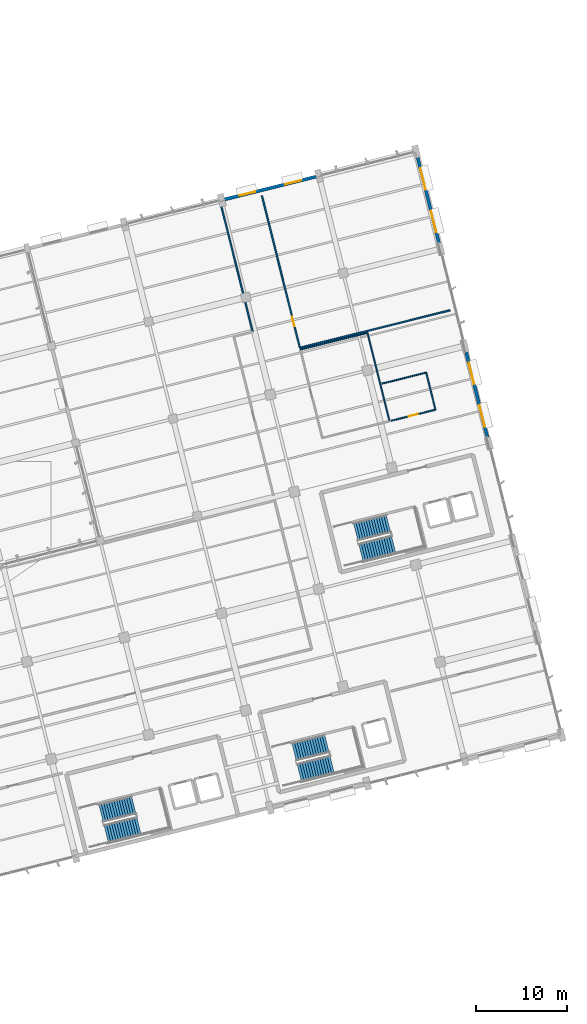
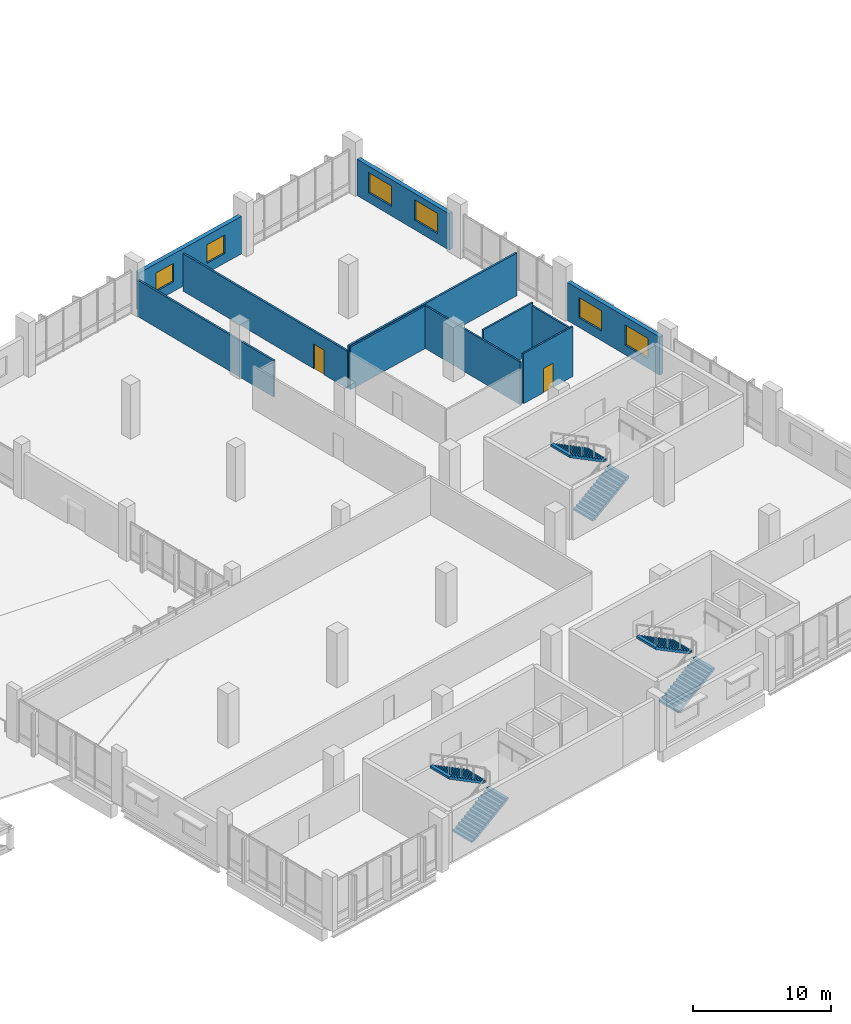
# One storey, part 126 of 137: 11 walls, 6 stair flights, 6 windows, 2 doors, 8 openings, 3 elements without a shape of their own.
"""IFC4 building model written with IfcOpenShell, lengths in metres."""

import ifcopenshell
import ifcopenshell.guid

model = None  # the IFC model being written
_history = None  # IfcOwnerHistory: only IFC2X3 demands one
_inside = {}  # id of a spatial element -> (the spatial element, [elements in it])
_under = {}  # id of a project, library or spatial element -> (it, [spatial elements below it])
_declared = {}  # id of a project -> (the project, [libraries it declares])
_typed = {}  # id of a type object -> (the type object, [elements of that type])
_made_of = {}  # id of a material, layer set ... -> (it, [elements and type objects made of it])


def new_model(schema):
    """Start an empty IFC model of exactly this schema.

    Asked for "IFC4X3", IfcOpenShell would pick the latest addendum, in which some entities
    have other attributes; the version numbers below select the first issue.
    IFC2X3 requires an IfcOwnerHistory on every rooted entity: one is made here for all.
    """
    global model, _history
    if schema == "IFC4X3":
        model = ifcopenshell.file(schema_version=(4, 3, 0, 0))
    else:
        model = ifcopenshell.file(schema=schema)
    _inside.clear()
    _under.clear()
    _declared.clear()
    _typed.clear()
    _made_of.clear()
    _history = None
    if model.schema == "IFC2X3":
        org = make("IfcOrganization", Name="unknown")
        user = make(
            "IfcPersonAndOrganization",
            ThePerson=make("IfcPerson", FamilyName="unknown"),
            TheOrganization=org,
        )
        app = make(
            "IfcApplication",
            ApplicationDeveloper=org,
            Version="unknown",
            ApplicationFullName="unknown",
            ApplicationIdentifier="unknown",
        )
        _history = make(
            "IfcOwnerHistory",
            OwningUser=user,
            OwningApplication=app,
            ChangeAction="ADDED",
            CreationDate=0,
        )
    return model


def make(cls, **values):
    """One entity of the class cls with the attributes given. An attribute that is None is left unset."""
    return model.create_entity(
        cls, **{name: value for name, value in values.items() if value is not None}
    )


def rooted(cls, **values):
    """An entity with a GlobalId (a new one), such as an element, a storey or a relation."""
    return make(cls, GlobalId=ifcopenshell.guid.new(), OwnerHistory=_history, **values)


def si_unit(unit_type, name, prefix=None):
    """IfcSIUnit, for example si_unit("LENGTHUNIT", "METRE", prefix="MILLI")."""
    return make("IfcSIUnit", UnitType=unit_type, Prefix=prefix, Name=name)


def assignment(units):
    """IfcUnitAssignment: the units of a project."""
    return None if units is None else make("IfcUnitAssignment", Units=units)


def point(xyz):
    """IfcCartesianPoint."""
    return None if xyz is None else make("IfcCartesianPoint", Coordinates=xyz)


def direction(xyz):
    """IfcDirection."""
    return None if xyz is None else make("IfcDirection", DirectionRatios=xyz)


def frame(location, z_axis=None, x_axis=None):
    """IfcAxis2Placement3D, a coordinate frame: its origin and axes. An axis left out is left unset."""
    return make(
        "IfcAxis2Placement3D",
        Location=point(location),
        Axis=direction(z_axis),
        RefDirection=direction(x_axis),
    )


def frame_2d(location, x_axis=None):
    """IfcAxis2Placement2D, a coordinate frame in the plane: its origin and x axis."""
    return make(
        "IfcAxis2Placement2D", Location=point(location), RefDirection=direction(x_axis)
    )


def origin():
    """The frame at (0, 0, 0) with its axes left unset."""
    return frame((0.0, 0.0, 0.0))


def place(relative_to, where):
    """IfcLocalPlacement: puts the frame where relative to a parent placement (None: the world)."""
    return make(
        "IfcLocalPlacement", PlacementRelTo=relative_to, RelativePlacement=where
    )


def context(
    kind, dimensions, precision=None, world=None, true_north=None, identifier=None
):
    """IfcGeometricRepresentationContext, for example the 3D "Model" context."""
    return make(
        "IfcGeometricRepresentationContext",
        ContextIdentifier=identifier,
        ContextType=kind,
        CoordinateSpaceDimension=dimensions,
        Precision=precision,
        WorldCoordinateSystem=world,
        TrueNorth=true_north,
    )


def subcontext(parent, identifier, kind, view, scale=None):
    """IfcGeometricRepresentationSubContext, for example "Body" below "Model"."""
    return make(
        "IfcGeometricRepresentationSubContext",
        ContextIdentifier=identifier,
        ContextType=kind,
        ParentContext=parent,
        TargetScale=scale,
        TargetView=view,
    )


def project(units=None, contexts=None):
    """IfcProject with its units and contexts."""
    return rooted(
        "IfcProject",
        Name="project",
        RepresentationContexts=contexts,
        UnitsInContext=assignment(units),
    )


def spatial(cls, under=None, at=None, **own):
    """A site, building, storey or space (cls), placed at a placement, below another one or the project."""
    s = rooted(cls, ObjectPlacement=at, **own)
    if under is not None:
        _under.setdefault(under.id(), (under, []))[1].append(s)
    return s


def polyline(points):
    """IfcPolyline through the points."""
    return make("IfcPolyline", Points=[point(p) for p in points])


def profile(cls, at=None, kind="AREA", **sizes):
    """A parametric profile (cls). Its sizes go by their IFC names, for example OverallWidth=200.0."""
    return make(cls, ProfileType=kind, Position=at, **sizes)


def rectangle(**sizes):
    """IfcRectangleProfileDef."""
    return profile("IfcRectangleProfileDef", **sizes)


def outline(outer, holes=None, kind="AREA"):
    """IfcArbitraryClosedProfileDef: a profile drawn as a closed curve; with holes, ...WithVoids."""
    if holes is None:
        return make("IfcArbitraryClosedProfileDef", ProfileType=kind, OuterCurve=outer)
    return make(
        "IfcArbitraryProfileDefWithVoids",
        ProfileType=kind,
        OuterCurve=outer,
        InnerCurves=holes,
    )


def extrude(swept, where, along, depth):
    """IfcExtrudedAreaSolid: the profile swept, set in the frame where, extruded along a direction by depth."""
    return make(
        "IfcExtrudedAreaSolid",
        SweptArea=swept,
        Position=where,
        ExtrudedDirection=direction(along),
        Depth=depth,
    )


def shape(context_of_items, identifier, shape_type, items):
    """IfcShapeRepresentation: the items that make up one representation, for example the "Body"."""
    return make(
        "IfcShapeRepresentation",
        ContextOfItems=context_of_items,
        RepresentationIdentifier=identifier,
        RepresentationType=shape_type,
        Items=items,
    )


def material(Name=None, Category=None):
    """IfcMaterial."""
    return make("IfcMaterial", Name=Name, Category=Category)


def layer(
    of_material, thickness, ventilated=None, Name=None, Category=None, Priority=None
):
    """IfcMaterialLayer: one layer of a wall or slab, of a material (None: an air gap)."""
    return make(
        "IfcMaterialLayer",
        Material=of_material,
        LayerThickness=thickness,
        IsVentilated=ventilated,
        Name=Name,
        Category=Category,
        Priority=Priority,
    )


def layer_set(layers, Name=None):
    """IfcMaterialLayerSet."""
    return make("IfcMaterialLayerSet", MaterialLayers=layers, LayerSetName=Name)


def made_of(thing, what):
    """Note that an element or type object is made of a material, layer set ...; save() writes the relation."""
    if what is not None:
        _made_of.setdefault(what.id(), (what, []))[1].append(thing)
    return thing


def type_object(cls, material=None, **own):
    """A type object (cls), such as IfcWallType, which elements share."""
    return made_of(rooted(cls, **own), material)


def element(
    cls,
    number,
    at=None,
    inside=None,
    cuts=None,
    type_object=None,
    material=None,
    context=None,
    identifier="Body",
    shape_type=None,
    held_by="IfcProductDefinitionShape",
    body=None,
    shapes=None,
    **own,
):
    """One element of the class cls, such as IfcWall. Its Tag is "e" and its number.

    at: its placement. inside: the storey or other place that contains it. cuts: it is an
    opening in that element (IfcRelVoidsElement). A single representation is given by context,
    identifier, shape_type and body (its items); several are given by shapes. held_by: the class
    of the entity that holds the representations. save() writes the other relations.
    """
    e = rooted(cls, Tag="e%d" % number, ObjectPlacement=at, **own)
    if body is not None:
        shapes = [shape(context, identifier, shape_type, body)]
    if shapes is not None:
        e.Representation = make(held_by, Representations=shapes)
    if inside is not None:
        _inside.setdefault(inside.id(), (inside, []))[1].append(e)
    if cuts is not None:
        rooted(
            "IfcRelVoidsElement", RelatingBuildingElement=cuts, RelatedOpeningElement=e
        )
    if type_object is not None:
        _typed.setdefault(type_object.id(), (type_object, []))[1].append(e)
    return made_of(e, material)


def fill(opening, filler):
    """IfcRelFillsElement: the door or window that sits in an opening."""
    return rooted(
        "IfcRelFillsElement",
        RelatingOpeningElement=opening,
        RelatedBuildingElement=filler,
    )


def aggregate(whole, parts):
    """IfcRelAggregates: a whole, such as a stair, and the parts it consists of."""
    return rooted("IfcRelAggregates", RelatingObject=whole, RelatedObjects=parts)


def save(model, path):
    """Write the relations noted so far, then the file.

    IfcRelAggregates (storeys below a building ...), IfcRelContainedInSpatialStructure (elements
    in a storey), IfcRelDefinesByType, IfcRelAssociatesMaterial and IfcRelDeclares: one each for
    every whole, place, type object, material and project.
    """
    for whole, parts in _under.values():
        aggregate(whole, parts)
    for where, things in _inside.values():
        rooted(
            "IfcRelContainedInSpatialStructure",
            RelatedElements=things,
            RelatingStructure=where,
        )
    for kind, things in _typed.values():
        rooted("IfcRelDefinesByType", RelatedObjects=things, RelatingType=kind)
    for what, things in _made_of.values():
        rooted("IfcRelAssociatesMaterial", RelatedObjects=things, RelatingMaterial=what)
    for by, libraries in _declared.values():
        rooted("IfcRelDeclares", RelatingContext=by, RelatedDefinitions=libraries)
    model.write(path)


model = new_model("IFC4")

# Units and contexts
model_context = context("Model", 3, precision=1e-05, world=origin(), true_north=direction((0.0, 1.0)))
body_context = subcontext(model_context, "Body", "Model", "MODEL_VIEW")
ifc_project = project(units=[si_unit("LENGTHUNIT", "METRE"), si_unit("AREAUNIT", "SQUARE_METRE"), si_unit("VOLUMEUNIT", "CUBIC_METRE"), si_unit("PLANEANGLEUNIT", "RADIAN"), si_unit("MASSUNIT", "GRAM", prefix="KILO")], contexts=[model_context])

# Site, building, storey
site_placement = place(None, origin())
site = spatial("IfcSite", under=ifc_project, at=site_placement, CompositionType="ELEMENT")
building_placement = place(site_placement, origin())
building = spatial("IfcBuilding", under=site, at=building_placement, Name="Khorjan Park Terminus", CompositionType="ELEMENT")
storey_placement = place(building_placement, frame((0.0, 0.0, 11.4)))
storey = spatial("IfcBuildingStorey", under=building, at=storey_placement, Name="L02", CompositionType="ELEMENT", Elevation=11.4)

# Wall, openings, windows
ifc_material_1 = material(Name="Pigmented Precast GRC & Concrete C40/50", Category="concrete")
ifc_layer_1 = layer(ifc_material_1, 0.35)
ifc_layer_set_1 = layer_set([ifc_layer_1], Name="Pigmented Precast GRC & Concrete C40/50")
wall_type_1 = type_object("IfcWallType", Name="EW-35", PredefinedType="STANDARD", material=ifc_layer_set_1)
wall_1_placement = place(storey_placement, frame((221.8951, 50.6322, 0.0), z_axis=(0.0, 0.0, 1.0), x_axis=(-0.241910213289, 0.970298638929, 0.0)))
wall_1 = element("IfcWall", 1, at=wall_1_placement, inside=storey, type_object=wall_type_1, Name="External pigmented-GRC insulated wall EW-35 (EW-V5-E-L02-B04)", PredefinedType="STANDARD", context=body_context, shape_type="SweptSolid", body=[
    extrude(rectangle(XDim=9.6697, YDim=0.35, at=frame_2d((4.8349, 0.0))), origin(), (0.0, 0.0, 1.0), 3.375),
])
opening_1_placement = place(wall_1_placement, frame((1.2174, 0.0, 0.85)))
opening_1 = element("IfcOpeningElement", 2, at=opening_1_placement, cuts=wall_1, Name="Opening WN-24", PredefinedType="OPENING", context=body_context, shape_type="SweptSolid", body=[
    extrude(rectangle(XDim=2.4, YDim=1.8, at=frame_2d((1.2, 0.9))), frame((0.0, 0.185, 0.0), z_axis=(0.0, -1.0, 0.0), x_axis=(1.0, 0.0, 0.0)), (0.0, 0.0, 1.0), 0.37),
])
opening_2_placement = place(wall_1_placement, frame((6.0523, 0.0, 0.85)))
opening_2 = element("IfcOpeningElement", 3, at=opening_2_placement, cuts=wall_1, Name="Opening WN-24", PredefinedType="OPENING", context=body_context, shape_type="SweptSolid", body=[
    extrude(rectangle(XDim=2.4, YDim=1.8, at=frame_2d((1.2, 0.9))), frame((0.0, 0.185, 0.0), z_axis=(0.0, -1.0, 0.0), x_axis=(1.0, 0.0, 0.0)), (0.0, 0.0, 1.0), 0.37),
])
ifc_material_2 = material(Name="Anodized Bronze Aluminium & Low-E Glass", Category="aluminium")
window_type_1 = type_object("IfcWindowType", Name="WN-24", PartitioningType="SINGLE_PANEL", PredefinedType="WINDOW", material=ifc_material_2)
window_1_placement = place(opening_1_placement, origin())
window_1 = element("IfcWindow", 4, at=window_1_placement, inside=storey, type_object=window_type_1, Name="Solar-control exterior window WN-24 (WN-EW-V5-E-L02-B04-1)", OverallHeight=1.8, OverallWidth=2.4, PartitioningType="SINGLE_PANEL", PredefinedType="WINDOW", context=body_context, shape_type="SweptSolid", body=[
    extrude(rectangle(XDim=2.4, YDim=1.8, at=frame_2d((1.2, 0.9))), frame((0.0, 0.03, 0.0), z_axis=(0.0, -1.0, 0.0), x_axis=(1.0, 0.0, 0.0)), (0.0, 0.0, 1.0), 0.06),
])
fill(opening_1, window_1)
window_2_placement = place(opening_2_placement, origin())
window_2 = element("IfcWindow", 5, at=window_2_placement, inside=storey, type_object=window_type_1, Name="Solar-control exterior window WN-24 (WN-EW-V5-E-L02-B04-2)", OverallHeight=1.8, OverallWidth=2.4, PartitioningType="SINGLE_PANEL", PredefinedType="WINDOW", context=body_context, shape_type="SweptSolid", body=[
    extrude(rectangle(XDim=2.4, YDim=1.8, at=frame_2d((1.2, 0.9))), frame((0.0, 0.03, 0.0), z_axis=(0.0, -1.0, 0.0), x_axis=(1.0, 0.0, 0.0)), (0.0, 0.0, 1.0), 0.06),
])
fill(opening_2, window_2)

wall_2_placement = place(storey_placement, frame((216.573, 71.9782, 0.0), z_axis=(0.0, 0.0, 1.0), x_axis=(-0.241919949636, 0.970296211457, 0.0)))
wall_2 = element("IfcWall", 6, at=wall_2_placement, inside=storey, type_object=wall_type_1, Name="External pigmented-GRC insulated wall EW-35 (EW-V5-E-L02-B06)", PredefinedType="STANDARD", context=body_context, shape_type="SweptSolid", body=[
    extrude(rectangle(XDim=9.6697, YDim=0.35, at=frame_2d((4.8349, 0.0))), origin(), (0.0, 0.0, 1.0), 3.225),
])
opening_3_placement = place(wall_2_placement, frame((1.2174, 0.0, 0.85)))
opening_3 = element("IfcOpeningElement", 7, at=opening_3_placement, cuts=wall_2, Name="Opening WN-24", PredefinedType="OPENING", context=body_context, shape_type="SweptSolid", body=[
    extrude(rectangle(XDim=2.4, YDim=1.8, at=frame_2d((1.2, 0.9))), frame((0.0, 0.185, 0.0), z_axis=(0.0, -1.0, 0.0), x_axis=(1.0, 0.0, 0.0)), (0.0, 0.0, 1.0), 0.37),
])
opening_4_placement = place(wall_2_placement, frame((6.0523, 0.0, 0.85)))
opening_4 = element("IfcOpeningElement", 8, at=opening_4_placement, cuts=wall_2, Name="Opening WN-24", PredefinedType="OPENING", context=body_context, shape_type="SweptSolid", body=[
    extrude(rectangle(XDim=2.4, YDim=1.8, at=frame_2d((1.2, 0.9))), frame((0.0, 0.185, 0.0), z_axis=(0.0, -1.0, 0.0), x_axis=(1.0, 0.0, 0.0)), (0.0, 0.0, 1.0), 0.37),
])
window_3_placement = place(opening_3_placement, origin())
window_3 = element("IfcWindow", 9, at=window_3_placement, inside=storey, type_object=window_type_1, Name="Solar-control exterior window WN-24 (WN-EW-V5-E-L02-B06-1)", OverallHeight=1.8, OverallWidth=2.4, PartitioningType="SINGLE_PANEL", PredefinedType="WINDOW", context=body_context, shape_type="SweptSolid", body=[
    extrude(rectangle(XDim=2.4, YDim=1.8, at=frame_2d((1.2, 0.9))), frame((0.0, 0.03, 0.0), z_axis=(0.0, -1.0, 0.0), x_axis=(1.0, 0.0, 0.0)), (0.0, 0.0, 1.0), 0.06),
])
fill(opening_3, window_3)
window_4_placement = place(opening_4_placement, origin())
window_4 = element("IfcWindow", 10, at=window_4_placement, inside=storey, type_object=window_type_1, Name="Solar-control exterior window WN-24 (WN-EW-V5-E-L02-B06-2)", OverallHeight=1.8, OverallWidth=2.4, PartitioningType="SINGLE_PANEL", PredefinedType="WINDOW", context=body_context, shape_type="SweptSolid", body=[
    extrude(rectangle(XDim=2.4, YDim=1.8, at=frame_2d((1.2, 0.9))), frame((0.0, 0.03, 0.0), z_axis=(0.0, -1.0, 0.0), x_axis=(1.0, 0.0, 0.0)), (0.0, 0.0, 1.0), 0.06),
])
fill(opening_4, window_4)

wall_3_placement = place(storey_placement, frame((203.0933, 79.2689, 0.0), z_axis=(0.0, 0.0, 1.0), x_axis=(-0.970297165187, -0.241916124371, 0.0)))
wall_3 = element("IfcWall", 11, at=wall_3_placement, inside=storey, type_object=wall_type_1, Name="External pigmented-GRC insulated wall EW-35 (EW-V5-N1-L02-B02)", PredefinedType="STANDARD", context=body_context, shape_type="SweptSolid", body=[
    extrude(rectangle(XDim=10.3697, YDim=0.35, at=frame_2d((5.1848, 0.0))), origin(), (0.0, 0.0, 1.0), 3.325),
])
opening_5_placement = place(wall_3_placement, frame((1.6924, 0.0, 0.85)))
opening_5 = element("IfcOpeningElement", 12, at=opening_5_placement, cuts=wall_3, Name="Opening WN-18", PredefinedType="OPENING", context=body_context, shape_type="SweptSolid", body=[
    extrude(rectangle(XDim=1.8, YDim=1.65, at=frame_2d((0.9, 0.825))), frame((0.0, 0.185, 0.0), z_axis=(0.0, -1.0, 0.0), x_axis=(1.0, 0.0, 0.0)), (0.0, 0.0, 1.0), 0.37),
])
opening_6_placement = place(wall_3_placement, frame((6.8773, 0.0, 0.85)))
opening_6 = element("IfcOpeningElement", 13, at=opening_6_placement, cuts=wall_3, Name="Opening WN-18", PredefinedType="OPENING", context=body_context, shape_type="SweptSolid", body=[
    extrude(rectangle(XDim=1.8, YDim=1.65, at=frame_2d((0.9, 0.825))), frame((0.0, 0.185, 0.0), z_axis=(0.0, -1.0, 0.0), x_axis=(1.0, 0.0, 0.0)), (0.0, 0.0, 1.0), 0.37),
])
window_type_2 = type_object("IfcWindowType", Name="WN-18", PartitioningType="SINGLE_PANEL", PredefinedType="WINDOW", material=ifc_material_2)
window_5_placement = place(opening_5_placement, origin())
window_5 = element("IfcWindow", 14, at=window_5_placement, inside=storey, type_object=window_type_2, Name="Solar-control exterior window WN-18 (WN-EW-V5-N1-L02-B02-1)", OverallHeight=1.65, OverallWidth=1.8, PartitioningType="SINGLE_PANEL", PredefinedType="WINDOW", context=body_context, shape_type="SweptSolid", body=[
    extrude(rectangle(XDim=1.8, YDim=1.65, at=frame_2d((0.9, 0.825))), frame((0.0, 0.03, 0.0), z_axis=(0.0, -1.0, 0.0), x_axis=(1.0, 0.0, 0.0)), (0.0, 0.0, 1.0), 0.06),
])
fill(opening_5, window_5)
window_6_placement = place(opening_6_placement, origin())
window_6 = element("IfcWindow", 15, at=window_6_placement, inside=storey, type_object=window_type_2, Name="Solar-control exterior window WN-18 (WN-EW-V5-N1-L02-B02-2)", OverallHeight=1.65, OverallWidth=1.8, PartitioningType="SINGLE_PANEL", PredefinedType="WINDOW", context=body_context, shape_type="SweptSolid", body=[
    extrude(rectangle(XDim=1.8, YDim=1.65, at=frame_2d((0.9, 0.825))), frame((0.0, 0.03, 0.0), z_axis=(0.0, -1.0, 0.0), x_axis=(1.0, 0.0, 0.0)), (0.0, 0.0, 1.0), 0.06),
])
fill(opening_6, window_6)

# Walls
ifc_material_3 = material(Name="Moisture-Resistant Sanitary Partition")
ifc_layer_2 = layer(ifc_material_3, 0.14)
ifc_layer_set_2 = layer_set([ifc_layer_2], Name="Moisture-Resistant Sanitary Partition")
wall_type_2 = type_object("IfcWallType", Name="PT-14", PredefinedType="PARTITIONING", material=ifc_layer_set_2)
wall_4_placement = place(storey_placement, frame((208.7243, 62.1218, 0.0), z_axis=(0.0, 0.0, 1.0), x_axis=(0.241921455101, -0.970295836104, 0.0)))
element("IfcWall", 16, at=wall_4_placement, inside=storey, type_object=wall_type_2, Name="Interior acoustic partition PT-14 (L02-SWC2)", PredefinedType="PARTITIONING", context=body_context, shape_type="SweptSolid", body=[
    extrude(rectangle(XDim=9.9999, YDim=0.14, at=frame_2d((5.0, 0.0))), origin(), (0.0, 0.0, 1.0), 3.785),
])
wall_5_placement = place(storey_placement, frame((201.3501, 60.2832, 0.0), z_axis=(0.0, 0.0, 1.0), x_axis=(0.970295558209, 0.241922569678, 0.0)))
element("IfcWall", 17, at=wall_5_placement, inside=storey, type_object=wall_type_2, Name="Interior acoustic partition PT-14 (L02-SWC2)", PredefinedType="PARTITIONING", context=body_context, shape_type="SweptSolid", body=[
    extrude(rectangle(XDim=7.6, YDim=0.14, at=frame_2d((3.8, 0.0))), origin(), (0.0, 0.0, 1.0), 3.785),
])
wall_6_placement = place(storey_placement, frame((215.173, 57.7521, 0.0), z_axis=(0.0, 0.0, 1.0), x_axis=(0.24193053095, -0.9702935732, 0.0)))
element("IfcWall", 18, at=wall_6_placement, inside=storey, type_object=wall_type_2, Name="Interior acoustic partition PT-14 (L02-SAWC2)", PredefinedType="PARTITIONING", context=body_context, shape_type="SweptSolid", body=[
    extrude(rectangle(XDim=4.2, YDim=0.14, at=frame_2d((2.1, 0.0))), origin(), (0.0, 0.0, 1.0), 4.155),
])

# Wall, opening, door
wall_7_placement = place(storey_placement, frame((216.1891, 53.6769, 0.0), z_axis=(0.0, 0.0, 1.0), x_axis=(-0.970291726552, -0.241937937052, 0.0)))
wall_7 = element("IfcWall", 19, at=wall_7_placement, inside=storey, type_object=wall_type_2, Name="Interior acoustic partition PT-14 (L02-SAWC2)", PredefinedType="PARTITIONING", context=body_context, shape_type="SweptSolid", body=[
    extrude(rectangle(XDim=5.0, YDim=0.14, at=frame_2d((2.5, 0.0))), origin(), (0.0, 0.0, 1.0), 4.43),
])
opening_7_placement = place(wall_7_placement, frame((2.0, 0.0, 0.0)))
opening_7 = element("IfcOpeningElement", 20, at=opening_7_placement, cuts=wall_7, Name="Opening ID-10", PredefinedType="OPENING", context=body_context, shape_type="SweptSolid", body=[
    extrude(rectangle(XDim=1.0, YDim=2.15, at=frame_2d((0.5, 1.075))), frame((0.0, 0.08, 0.0), z_axis=(0.0, -1.0, 0.0), x_axis=(1.0, 0.0, 0.0)), (0.0, 0.0, 1.0), 0.16),
])
ifc_material_4 = material(Name="Acoustic Fire-Rated Single Door")
door_type_1 = type_object("IfcDoorType", Name="ID-10", OperationType="NOTDEFINED", PredefinedType="DOOR", material=ifc_material_4)
door_1_placement = place(opening_7_placement, origin())
door_1 = element("IfcDoor", 21, at=door_1_placement, inside=storey, type_object=door_type_1, Name="Interior door ID-10 (L02-SAWC2)", OperationType="SINGLE_SWING_RIGHT", OverallHeight=2.15, OverallWidth=1.0, PredefinedType="DOOR", context=body_context, shape_type="SweptSolid", body=[
    extrude(rectangle(XDim=1.0, YDim=2.15, at=frame_2d((0.5, 1.075))), frame((0.0, 0.025, 0.0), z_axis=(0.0, -1.0, 0.0), x_axis=(1.0, 0.0, 0.0)), (0.0, 0.0, 1.0), 0.05),
])
fill(opening_7, door_1)

# Walls
wall_8_placement = place(storey_placement, frame((210.3215, 56.5425, 0.0), z_axis=(0.0, 0.0, 1.0), x_axis=(0.970296421359, 0.241919107756, 0.0)))
element("IfcWall", 22, at=wall_8_placement, inside=storey, type_object=wall_type_2, Name="Interior acoustic partition PT-14 (L02-SAWC2)", PredefinedType="PARTITIONING", context=body_context, shape_type="SweptSolid", body=[
    extrude(rectangle(XDim=5.0, YDim=0.14, at=frame_2d((2.5, 0.0))), origin(), (0.0, 0.0, 1.0), 4.43),
])
ifc_material_5 = material(Name="Insulated Metal-Stud Acoustic Partition")
ifc_layer_3 = layer(ifc_material_5, 0.16)
ifc_layer_set_3 = layer_set([ifc_layer_3], Name="Insulated Metal-Stud Acoustic Partition")
wall_type_3 = type_object("IfcWallType", Name="PT-16", PredefinedType="PARTITIONING", material=ifc_layer_set_3)
wall_9_placement = place(storey_placement, frame((192.6773, 76.0535, 0.0), z_axis=(0.0, 0.0, 1.0), x_axis=(0.241921764972, -0.970295758845, 0.0)))
element("IfcWall", 23, at=wall_9_placement, inside=storey, type_object=wall_type_3, Name="Interior acoustic partition PT-16 (L02-ENG)", PredefinedType="PARTITIONING", context=body_context, shape_type="SweptSolid", body=[
    extrude(rectangle(XDim=14.26, YDim=0.16, at=frame_2d((7.13, 0.0))), origin(), (0.0, 0.0, 1.0), 3.225),
])
wall_10_placement = place(storey_placement, frame((217.7967, 64.5899, 0.0), z_axis=(0.0, 0.0, 1.0), x_axis=(-0.970296629409, -0.241918273301, 0.0)))
element("IfcWall", 24, at=wall_10_placement, inside=storey, type_object=wall_type_3, Name="Interior acoustic partition PT-16 (L02-STR2)", PredefinedType="PARTITIONING", context=body_context, shape_type="SweptSolid", body=[
    extrude(rectangle(XDim=17.0, YDim=0.16, at=frame_2d((8.5, 0.0))), origin(), (0.0, 0.0, 1.0), 3.785),
])

# Wall, opening, door
wall_11_placement = place(storey_placement, frame((201.3017, 60.4773, 0.0), z_axis=(0.0, 0.0, 1.0), x_axis=(-0.241924086589, 0.970295179998, 0.0)))
wall_11 = element("IfcWall", 25, at=wall_11_placement, inside=storey, type_object=wall_type_3, Name="Interior acoustic partition PT-16 (L02-STR2)", PredefinedType="PARTITIONING", context=body_context, shape_type="SweptSolid", body=[
    extrude(rectangle(XDim=17.2, YDim=0.16, at=frame_2d((8.6, 0.0))), origin(), (0.0, 0.0, 1.0), 3.325),
])
opening_8_placement = place(wall_11_placement, frame((2.415, 0.0, 0.0)))
opening_8 = element("IfcOpeningElement", 26, at=opening_8_placement, cuts=wall_11, Name="Opening ID-11", PredefinedType="OPENING", context=body_context, shape_type="SweptSolid", body=[
    extrude(rectangle(XDim=1.1, YDim=2.2, at=frame_2d((0.55, 1.1))), frame((0.0, 0.09, 0.0), z_axis=(0.0, -1.0, 0.0), x_axis=(1.0, 0.0, 0.0)), (0.0, 0.0, 1.0), 0.18),
])
ifc_material_6 = material(Name="Acoustic Hardwood Single Door", Category="wood")
door_type_2 = type_object("IfcDoorType", Name="ID-11", OperationType="NOTDEFINED", PredefinedType="DOOR", material=ifc_material_6)
door_2_placement = place(opening_8_placement, origin())
door_2 = element("IfcDoor", 27, at=door_2_placement, inside=storey, type_object=door_type_2, Name="Interior door ID-11 (L02-STR2)", OperationType="SINGLE_SWING_LEFT", OverallHeight=2.2, OverallWidth=1.1, PredefinedType="DOOR", context=body_context, shape_type="SweptSolid", body=[
    extrude(rectangle(XDim=1.1, YDim=2.2, at=frame_2d((0.55, 1.1))), frame((0.0, 0.025, 0.0), z_axis=(0.0, -1.0, 0.0), x_axis=(1.0, 0.0, 0.0)), (0.0, 0.0, 1.0), 0.05),
])
fill(opening_8, door_2)

# Stair, stair flights
ifc_material_7 = material(Name="Concrete C40/50", Category="concrete")
stair_type = type_object("IfcStairType", Name="STR-CORE-200", PredefinedType="HALF_TURN_STAIR", material=ifc_material_7)
stair_1_placement = place(storey_placement, origin())
stair_1 = element("IfcStair", 28, at=stair_1_placement, inside=storey, type_object=stair_type, Name="L02 Operations West Firefighting Core exit stair ST-03", PredefinedType="HALF_TURN_STAIR")
stair_flight_type = type_object("IfcStairFlightType", Name="FLT-STC-20", PredefinedType="STRAIGHT", material=ifc_material_7)
stair_flight_1_placement = place(storey_placement, frame((180.0436, 7.0989, 0.0), z_axis=(0.0, 0.0, 1.0), x_axis=(0.970295726276, 0.2419218956, 0.0)))
stair_flight_1 = element("IfcStairFlight", 29, at=stair_flight_1_placement, type_object=stair_flight_type, Name="ST-03 flight 1", NumberOfRisers=14, NumberOfTreads=13, PredefinedType="STRAIGHT", RiserHeight=0.171428571, TreadLength=0.285, context=body_context, shape_type="SweptSolid", body=[
    extrude(outline(polyline([(0.0, 0.0), (0.0, 0.1714), (0.285, 0.1714), (0.285, 0.3429), (0.57, 0.3429), (0.57, 0.5143), (0.855, 0.5143), (0.855, 0.6857), (1.14, 0.6857), (1.14, 0.8571), (1.425, 0.8571), (1.425, 1.0286), (1.71, 1.0286), (1.71, 1.2), (1.995, 1.2), (1.995, 1.3714), (2.28, 1.3714), (2.28, 1.5429), (2.565, 1.5429), (2.565, 1.7143), (2.85, 1.7143), (2.85, 1.8857), (3.135, 1.8857), (3.135, 2.0571), (3.42, 2.0571), (3.42, 2.2286), (3.705, 2.2286), (3.705, 2.4), (3.705, 2.0419), (0.3104, 0.0), (0.0, 0.0)])), frame((0.0, 1.0, 0.0), z_axis=(0.0, -1.0, 0.0), x_axis=(1.0, 0.0, 0.0)), (0.0, 0.0, 1.0), 2.0),
])
stair_flight_2_placement = place(storey_placement, frame((183.0676, 10.2851, 2.4), z_axis=(0.0, 0.0, 1.0), x_axis=(-0.970295726276, -0.2419218956, 0.0)))
stair_flight_2 = element("IfcStairFlight", 30, at=stair_flight_2_placement, type_object=stair_flight_type, Name="ST-03 flight 2", NumberOfRisers=14, NumberOfTreads=13, PredefinedType="STRAIGHT", RiserHeight=0.171428571, TreadLength=0.285, context=body_context, shape_type="SweptSolid", body=[
    extrude(outline(polyline([(0.0, 0.0), (0.0, 0.1714), (0.285, 0.1714), (0.285, 0.3429), (0.57, 0.3429), (0.57, 0.5143), (0.855, 0.5143), (0.855, 0.6857), (1.14, 0.6857), (1.14, 0.8571), (1.425, 0.8571), (1.425, 1.0286), (1.71, 1.0286), (1.71, 1.2), (1.995, 1.2), (1.995, 1.3714), (2.28, 1.3714), (2.28, 1.5429), (2.565, 1.5429), (2.565, 1.7143), (2.85, 1.7143), (2.85, 1.8857), (3.135, 1.8857), (3.135, 2.0571), (3.42, 2.0571), (3.42, 2.2286), (3.705, 2.2286), (3.705, 2.4), (3.705, 2.0419), (0.3104, 0.0), (0.0, 0.0)])), frame((0.0, 1.0, 0.0), z_axis=(0.0, -1.0, 0.0), x_axis=(1.0, 0.0, 0.0)), (0.0, 0.0, 1.0), 2.0),
])
aggregate(stair_1, [stair_flight_1, stair_flight_2])

stair_2_placement = place(storey_placement, origin())
stair_2 = element("IfcStair", 31, at=stair_2_placement, inside=storey, type_object=stair_type, Name="L02 Operations North-East Firefighting Core exit stair ST-04", PredefinedType="HALF_TURN_STAIR")
stair_flight_3_placement = place(storey_placement, frame((208.0033, 37.9803, 0.0), z_axis=(0.0, 0.0, 1.0), x_axis=(0.970295726276, 0.2419218956, 0.0)))
stair_flight_3 = element("IfcStairFlight", 32, at=stair_flight_3_placement, type_object=stair_flight_type, Name="ST-04 flight 1", NumberOfRisers=14, NumberOfTreads=13, PredefinedType="STRAIGHT", RiserHeight=0.171428571, TreadLength=0.285, context=body_context, shape_type="SweptSolid", body=[
    extrude(outline(polyline([(0.0, 0.0), (0.0, 0.1714), (0.285, 0.1714), (0.285, 0.3429), (0.57, 0.3429), (0.57, 0.5143), (0.855, 0.5143), (0.855, 0.6857), (1.14, 0.6857), (1.14, 0.8571), (1.425, 0.8571), (1.425, 1.0286), (1.71, 1.0286), (1.71, 1.2), (1.995, 1.2), (1.995, 1.3714), (2.28, 1.3714), (2.28, 1.5429), (2.565, 1.5429), (2.565, 1.7143), (2.85, 1.7143), (2.85, 1.8857), (3.135, 1.8857), (3.135, 2.0571), (3.42, 2.0571), (3.42, 2.2286), (3.705, 2.2286), (3.705, 2.4), (3.705, 2.0419), (0.3104, 0.0), (0.0, 0.0)])), frame((0.0, 1.0, 0.0), z_axis=(0.0, -1.0, 0.0), x_axis=(1.0, 0.0, 0.0)), (0.0, 0.0, 1.0), 2.0),
])
stair_flight_4_placement = place(storey_placement, frame((211.0273, 41.1665, 2.4), z_axis=(0.0, 0.0, 1.0), x_axis=(-0.970295726276, -0.2419218956, 0.0)))
stair_flight_4 = element("IfcStairFlight", 33, at=stair_flight_4_placement, type_object=stair_flight_type, Name="ST-04 flight 2", NumberOfRisers=14, NumberOfTreads=13, PredefinedType="STRAIGHT", RiserHeight=0.171428571, TreadLength=0.285, context=body_context, shape_type="SweptSolid", body=[
    extrude(outline(polyline([(0.0, 0.0), (0.0, 0.1714), (0.285, 0.1714), (0.285, 0.3429), (0.57, 0.3429), (0.57, 0.5143), (0.855, 0.5143), (0.855, 0.6857), (1.14, 0.6857), (1.14, 0.8571), (1.425, 0.8571), (1.425, 1.0286), (1.71, 1.0286), (1.71, 1.2), (1.995, 1.2), (1.995, 1.3714), (2.28, 1.3714), (2.28, 1.5429), (2.565, 1.5429), (2.565, 1.7143), (2.85, 1.7143), (2.85, 1.8857), (3.135, 1.8857), (3.135, 2.0571), (3.42, 2.0571), (3.42, 2.2286), (3.705, 2.2286), (3.705, 2.4), (3.705, 2.0419), (0.3104, 0.0), (0.0, 0.0)])), frame((0.0, 1.0, 0.0), z_axis=(0.0, -1.0, 0.0), x_axis=(1.0, 0.0, 0.0)), (0.0, 0.0, 1.0), 2.0),
])
aggregate(stair_2, [stair_flight_3, stair_flight_4])

stair_3_placement = place(storey_placement, origin())
stair_3 = element("IfcStair", 34, at=stair_3_placement, inside=storey, type_object=stair_type, Name="L02 Operations Central Command Core exit stair ST-05", PredefinedType="HALF_TURN_STAIR")
stair_flight_5_placement = place(storey_placement, frame((201.2455, 13.828, 0.0), z_axis=(0.0, 0.0, 1.0), x_axis=(0.970295726276, 0.2419218956, 0.0)))
stair_flight_5 = element("IfcStairFlight", 35, at=stair_flight_5_placement, type_object=stair_flight_type, Name="ST-05 flight 1", NumberOfRisers=14, NumberOfTreads=13, PredefinedType="STRAIGHT", RiserHeight=0.171428571, TreadLength=0.285, context=body_context, shape_type="SweptSolid", body=[
    extrude(outline(polyline([(0.0, 0.0), (0.0, 0.1714), (0.285, 0.1714), (0.285, 0.3429), (0.57, 0.3429), (0.57, 0.5143), (0.855, 0.5143), (0.855, 0.6857), (1.14, 0.6857), (1.14, 0.8571), (1.425, 0.8571), (1.425, 1.0286), (1.71, 1.0286), (1.71, 1.2), (1.995, 1.2), (1.995, 1.3714), (2.28, 1.3714), (2.28, 1.5429), (2.565, 1.5429), (2.565, 1.7143), (2.85, 1.7143), (2.85, 1.8857), (3.135, 1.8857), (3.135, 2.0571), (3.42, 2.0571), (3.42, 2.2286), (3.705, 2.2286), (3.705, 2.4), (3.705, 2.0419), (0.3104, 0.0), (0.0, 0.0)])), frame((0.0, 1.0, 0.0), z_axis=(0.0, -1.0, 0.0), x_axis=(1.0, 0.0, 0.0)), (0.0, 0.0, 1.0), 2.0),
])
stair_flight_6_placement = place(storey_placement, frame((204.2695, 17.0142, 2.4), z_axis=(0.0, 0.0, 1.0), x_axis=(-0.970295726276, -0.2419218956, 0.0)))
stair_flight_6 = element("IfcStairFlight", 36, at=stair_flight_6_placement, type_object=stair_flight_type, Name="ST-05 flight 2", NumberOfRisers=14, NumberOfTreads=13, PredefinedType="STRAIGHT", RiserHeight=0.171428571, TreadLength=0.285, context=body_context, shape_type="SweptSolid", body=[
    extrude(outline(polyline([(0.0, 0.0), (0.0, 0.1714), (0.285, 0.1714), (0.285, 0.3429), (0.57, 0.3429), (0.57, 0.5143), (0.855, 0.5143), (0.855, 0.6857), (1.14, 0.6857), (1.14, 0.8571), (1.425, 0.8571), (1.425, 1.0286), (1.71, 1.0286), (1.71, 1.2), (1.995, 1.2), (1.995, 1.3714), (2.28, 1.3714), (2.28, 1.5429), (2.565, 1.5429), (2.565, 1.7143), (2.85, 1.7143), (2.85, 1.8857), (3.135, 1.8857), (3.135, 2.0571), (3.42, 2.0571), (3.42, 2.2286), (3.705, 2.2286), (3.705, 2.4), (3.705, 2.0419), (0.3104, 0.0), (0.0, 0.0)])), frame((0.0, 1.0, 0.0), z_axis=(0.0, -1.0, 0.0), x_axis=(1.0, 0.0, 0.0)), (0.0, 0.0, 1.0), 2.0),
])
aggregate(stair_3, [stair_flight_5, stair_flight_6])

save(model, "model.ifc")
